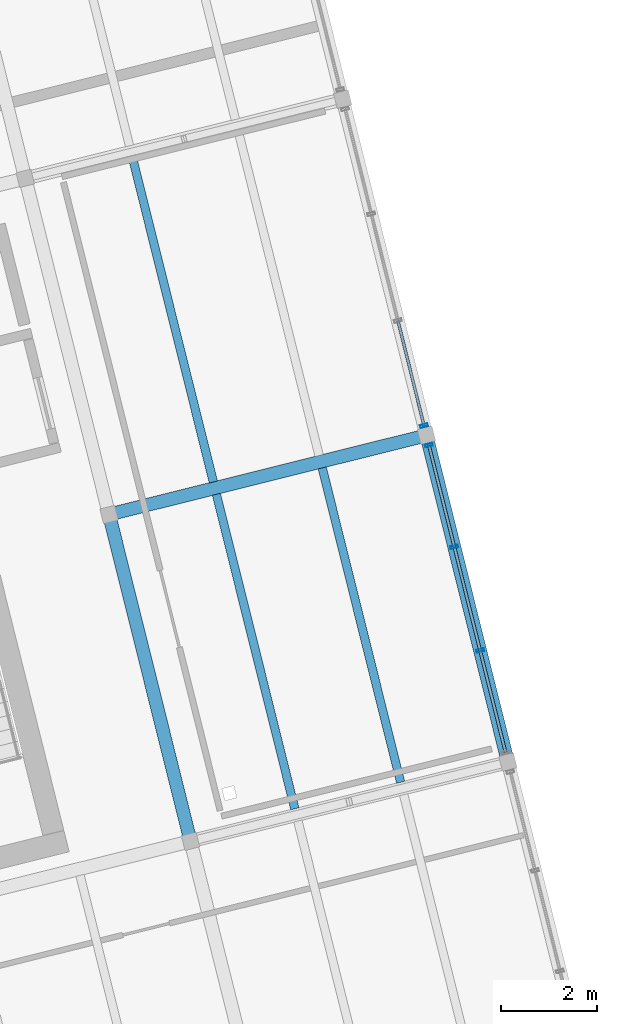
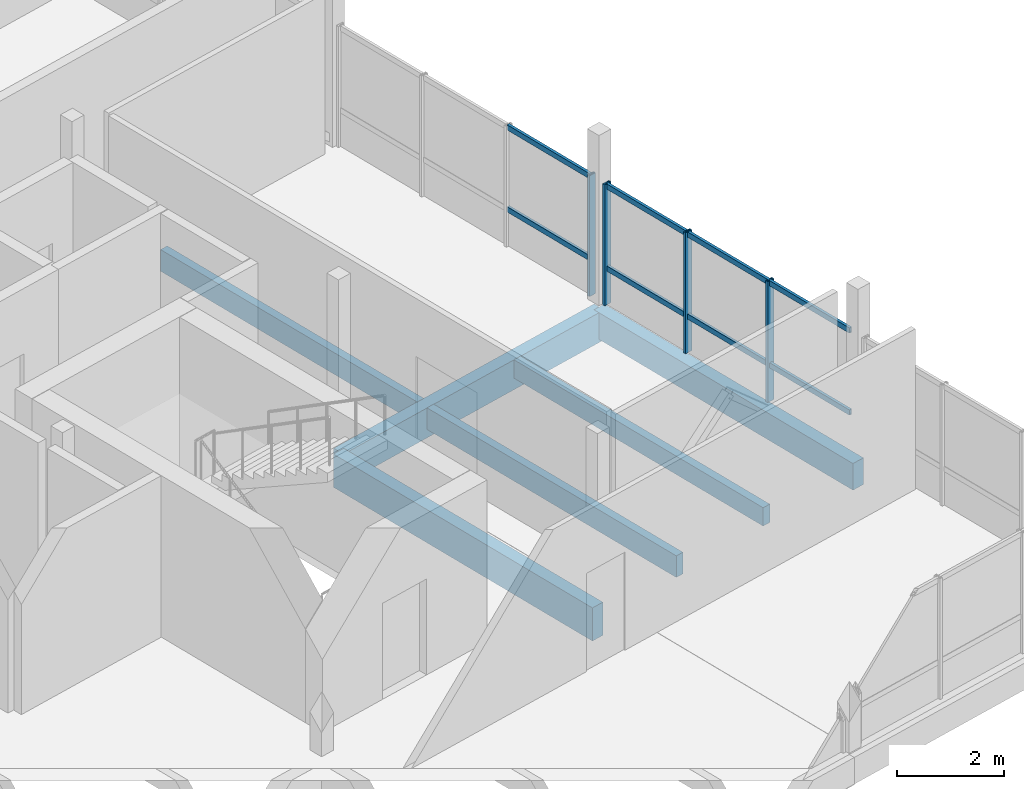
# One storey, part 17 of 25: 12 members, 6 beams, 2 elements without a shape of their own.
"""IFC4 building model written with IfcOpenShell, lengths in metres."""

from ifc_helpers import new_model, si_unit, direction, frame, origin, origin_2d, place, context, subcontext, project, spatial, rectangle, hollow_rectangle, extrude, material, layer, layer_set, material_profile, profile_set, type_object, element, aggregate, save


model = new_model("IFC4")

# Units and contexts
model_context = context("Model", 3, precision=1e-05, world=origin(), true_north=direction((0.0, 1.0)))
body_context = subcontext(model_context, "Body", "Model", "MODEL_VIEW")
ifc_project = project(units=[si_unit("LENGTHUNIT", "METRE"), si_unit("AREAUNIT", "SQUARE_METRE"), si_unit("VOLUMEUNIT", "CUBIC_METRE"), si_unit("PLANEANGLEUNIT", "RADIAN"), si_unit("MASSUNIT", "GRAM", prefix="KILO")], contexts=[model_context])

# Site, building, storey
site_placement = place(None, origin())
site = spatial("IfcSite", under=ifc_project, at=site_placement, CompositionType="ELEMENT")
building_placement = place(site_placement, origin())
building = spatial("IfcBuilding", under=site, at=building_placement, Name="Meriwether Solvik Hall", CompositionType="ELEMENT")
storey_placement = place(building_placement, frame((0.0, 0.0, 53.39990234375)))
storey = spatial("IfcBuildingStorey", under=building, at=storey_placement, Name="L13", CompositionType="ELEMENT", Elevation=53.39990234375)

# Beams
ifc_material_1 = material(Name="Glulam Douglas-Fir 24F-V8 GL28h", Category="wood")
ifc_material_profile_1 = material_profile(ifc_material_1, rectangle(XDim=0.27294921875, YDim=0.610107421875, at=origin_2d()), Name="GLB-273X610")
ifc_profile_set_1 = profile_set([ifc_material_profile_1], Name="Glulam Douglas-Fir 24F-V8 GL28h")
beam_type_1 = type_object("IfcBeamType", Name="BM-GL-273X610", PredefinedType="SPANDREL", material=ifc_profile_set_1)
beam_1_placement = place(storey_placement, frame((101.885498046875, 56.507080078125, -0.48486328125), z_axis=(-0.241903692719, 0.970300264582, 0.0), x_axis=(-0.970300264582, -0.241903692719, 0.0)))
element("IfcBeam", 1, at=beam_1_placement, inside=storey, type_object=beam_type_1, Name="Tower Girder T6:TB-TC (L13)", PredefinedType="SPANDREL", context=body_context, shape_type="SweptSolid", body=[
    extrude(rectangle(XDim=0.27294921875, YDim=0.610107421875, at=origin_2d()), origin(), (0.0, 0.0, 1.0), 7.000244140625),
])
ifc_material_2 = material(Name="Glulam Douglas-Fir 24F-V8 GL28h", Category="wood")
ifc_material_profile_2 = material_profile(ifc_material_2, rectangle(XDim=0.27294921875, YDim=0.68505859375, at=origin_2d()), Name="GLB-273X685")
ifc_profile_set_2 = profile_set([ifc_material_profile_2], Name="Glulam Douglas-Fir 24F-V8 GL28h")
beam_type_2 = type_object("IfcBeamType", Name="BM-GL-273X685", PredefinedType="BEAM", material=ifc_profile_set_2)
beam_2_placement = place(storey_placement, frame((93.593994140625, 61.654296875, -0.5224609375), z_axis=(0.970298579828, 0.24191045034, 0.0), x_axis=(-0.24191045034, 0.970298579828, 0.0)))
element("IfcBeam", 2, at=beam_2_placement, inside=storey, type_object=beam_type_2, Name="Tower Girder TC:T5-T6 (L13)", PredefinedType="BEAM", context=body_context, shape_type="SweptSolid", body=[
    extrude(rectangle(XDim=0.27294921875, YDim=0.68505859375, at=origin_2d()), origin(), (0.0, 0.0, 1.0), 6.800048828125),
])
ifc_material_3 = material(Name="Glulam Douglas-Fir 24F-V8 GL28h", Category="wood")
ifc_material_profile_3 = material_profile(ifc_material_3, rectangle(XDim=0.27294921875, YDim=0.760009765625, at=origin_2d()), Name="GLB-273X760")
ifc_profile_set_3 = profile_set([ifc_material_profile_3], Name="Glulam Douglas-Fir 24F-V8 GL28h")
beam_type_3 = type_object("IfcBeamType", Name="BM-GL-273X760", PredefinedType="BEAM", material=ifc_profile_set_3)
beam_3_placement = place(storey_placement, frame((95.28759765625, 54.862060546875, -0.559814453125), z_axis=(-0.241936527961, 0.970292077901, 0.0), x_axis=(-0.970292077901, -0.241936527961, 0.0)))
element("IfcBeam", 3, at=beam_3_placement, inside=storey, type_object=beam_type_3, Name="Tower Girder T5:TB-TC (L13)", PredefinedType="BEAM", context=body_context, shape_type="SweptSolid", body=[
    extrude(rectangle(XDim=0.27294921875, YDim=0.760009765625, at=origin_2d()), origin(), (0.0, 0.0, 1.0), 7.000244140625),
])

# Curtain wall, members
ifc_material_4 = material(Name="Thermally Broken Anodised Aluminium 6063-T6 and Low-E Glass", Category="aluminium")
ifc_layer_1 = layer(ifc_material_4, 0.179931640625)
ifc_layer_set_1 = layer_set([ifc_layer_1], Name="Thermally Broken Anodised Aluminium 6063-T6 and Low-E Glass")
curtain_wall_type_1 = type_object("IfcCurtainWallType", Name="CW-UNIT-F", PredefinedType="USERDEFINED", material=ifc_layer_set_1)
curtain_wall_1_placement = place(storey_placement, origin())
curtain_wall_1 = element("IfcCurtainWall", 4, at=curtain_wall_1_placement, inside=storey, type_object=curtain_wall_type_1, Name="Curtain Wall E1_B1 (L13)", ObjectType="UNITISED CURTAIN WALL", PredefinedType="USERDEFINED")
ifc_material_5 = material(Name="Anodised Aluminium 6063-T6", Category="aluminium")
ifc_material_profile_4 = material_profile(ifc_material_5, hollow_rectangle(XDim=0.06005859375, YDim=0.159912109375, WallThickness=0.00390625, at=origin_2d()), Name="CWM-60X160")
ifc_profile_set_4 = profile_set([ifc_material_profile_4], Name="Anodised Aluminium 6063-T6")
member_type_1 = type_object("IfcMemberType", Name="CW-MUL-60X160", PredefinedType="MULLION", material=ifc_profile_set_4)
member_1_placement = place(storey_placement, frame((100.242431640625, 63.097900390625, 0.0), z_axis=(0.0, 0.0, 1.0), x_axis=(0.241921784185, -0.970295754055, 0.0)))
member_1 = element("IfcMember", 5, at=member_1_placement, type_object=member_type_1, Name="Curtain Wall Mullion 1", PredefinedType="MULLION", context=body_context, shape_type="SweptSolid", body=[
    extrude(hollow_rectangle(XDim=0.06005859375, YDim=0.159912109375, WallThickness=0.00390625, at=origin_2d()), origin(), (0.0, 0.0, 1.0), 2.77001953125),
])
member_2_placement = place(storey_placement, frame((100.770263671875, 60.98046875, 0.0), z_axis=(0.0, 0.0, 1.0), x_axis=(0.241921784185, -0.970295754055, 0.0)))
member_2 = element("IfcMember", 6, at=member_2_placement, type_object=member_type_1, Name="Curtain Wall Mullion 2", PredefinedType="MULLION", context=body_context, shape_type="SweptSolid", body=[
    extrude(hollow_rectangle(XDim=0.06005859375, YDim=0.159912109375, WallThickness=0.00390625, at=origin_2d()), origin(), (0.0, 0.0, 1.0), 2.77001953125),
])
member_3_placement = place(storey_placement, frame((101.307373046875, 58.825927734375, 0.0), z_axis=(0.0, 0.0, 1.0), x_axis=(0.241921784185, -0.970295754055, 0.0)))
member_3 = element("IfcMember", 7, at=member_3_placement, type_object=member_type_1, Name="Curtain Wall Mullion 3", PredefinedType="MULLION", context=body_context, shape_type="SweptSolid", body=[
    extrude(hollow_rectangle(XDim=0.06005859375, YDim=0.159912109375, WallThickness=0.00390625, at=origin_2d()), origin(), (0.0, 0.0, 1.0), 2.77001953125),
])

# Curtain wall, member
ifc_material_6 = material(Name="Thermally Broken Anodised Aluminium 6063-T6 and Low-E Glass", Category="aluminium")
ifc_layer_2 = layer(ifc_material_6, 0.179931640625)
ifc_layer_set_2 = layer_set([ifc_layer_2], Name="Thermally Broken Anodised Aluminium 6063-T6 and Low-E Glass")
curtain_wall_type_2 = type_object("IfcCurtainWallType", Name="CW-UNIT-G", PredefinedType="USERDEFINED", material=ifc_layer_set_2)
curtain_wall_2_placement = place(storey_placement, origin())
curtain_wall_2 = element("IfcCurtainWall", 8, at=curtain_wall_2_placement, inside=storey, type_object=curtain_wall_type_2, Name="Curtain Wall E1_B2 (L13)", ObjectType="UNITISED CURTAIN WALL", PredefinedType="USERDEFINED")
member_4_placement = place(storey_placement, frame((100.141845703125, 63.50048828125, 0.0), z_axis=(0.0, 0.0, 1.0), x_axis=(0.241921877598, -0.970295730764, 0.0)))
member_4 = element("IfcMember", 9, at=member_4_placement, type_object=member_type_1, Name="Curtain Wall Mullion 4", PredefinedType="MULLION", context=body_context, shape_type="SweptSolid", body=[
    extrude(hollow_rectangle(XDim=0.06005859375, YDim=0.159912109375, WallThickness=0.00390625, at=origin_2d()), origin(), (0.0, 0.0, 1.0), 2.77001953125),
])

# Member
ifc_material_7 = material(Name="Anodised Aluminium 6063-T6", Category="aluminium")
ifc_material_profile_5 = material_profile(ifc_material_7, hollow_rectangle(XDim=0.06005859375, YDim=0.1201171875, WallThickness=0.00390625, at=origin_2d()), Name="CWT-60X120")
ifc_profile_set_5 = profile_set([ifc_material_profile_5], Name="Anodised Aluminium 6063-T6")
member_type_2 = type_object("IfcMemberType", Name="CW-TRN-60X120", PredefinedType="USERDEFINED", material=ifc_profile_set_5)
member_5_placement = place(storey_placement, frame((100.242431640625, 63.097900390625, 0.8310546875), z_axis=(0.241877470874, -0.970306801524, 0.0), x_axis=(0.970306801524, 0.241877470874, 0.0)))
member_5 = element("IfcMember", 10, at=member_5_placement, type_object=member_type_2, Name="Curtain Wall Transom 1-sill", ObjectType="TRANSOM", PredefinedType="USERDEFINED", context=body_context, shape_type="SweptSolid", body=[
    extrude(hollow_rectangle(XDim=0.06005859375, YDim=0.1201171875, WallThickness=0.00390625, at=origin_2d()), origin(), (0.0, 0.0, 1.0), 2.18212890625),
])

member_6_placement = place(storey_placement, frame((100.242431640625, 63.097900390625, 2.710205078125), z_axis=(0.241877470874, -0.970306801524, 0.0), x_axis=(0.970306801524, 0.241877470874, 0.0)))
member_6 = element("IfcMember", 11, at=member_6_placement, type_object=member_type_2, Name="Curtain Wall Transom 1-head", ObjectType="TRANSOM", PredefinedType="USERDEFINED", context=body_context, shape_type="SweptSolid", body=[
    extrude(hollow_rectangle(XDim=0.06005859375, YDim=0.1201171875, WallThickness=0.00390625, at=origin_2d()), origin(), (0.0, 0.0, 1.0), 2.18212890625),
])

member_7_placement = place(storey_placement, frame((100.770263671875, 60.98046875, 0.8310546875), z_axis=(0.241888809617, -0.970303974939, 0.0), x_axis=(0.970303974939, 0.241888809617, 0.0)))
member_7 = element("IfcMember", 12, at=member_7_placement, type_object=member_type_2, Name="Curtain Wall Transom 2-sill", ObjectType="TRANSOM", PredefinedType="USERDEFINED", context=body_context, shape_type="SweptSolid", body=[
    extrude(hollow_rectangle(XDim=0.06005859375, YDim=0.1201171875, WallThickness=0.00390625, at=origin_2d()), origin(), (0.0, 0.0, 1.0), 2.220458984375),
])

member_8_placement = place(storey_placement, frame((100.770263671875, 60.98046875, 2.710205078125), z_axis=(0.241888809617, -0.970303974939, 0.0), x_axis=(0.970303974939, 0.241888809617, 0.0)))
member_8 = element("IfcMember", 13, at=member_8_placement, type_object=member_type_2, Name="Curtain Wall Transom 2-head", ObjectType="TRANSOM", PredefinedType="USERDEFINED", context=body_context, shape_type="SweptSolid", body=[
    extrude(hollow_rectangle(XDim=0.06005859375, YDim=0.1201171875, WallThickness=0.00390625, at=origin_2d()), origin(), (0.0, 0.0, 1.0), 2.220458984375),
])

member_9_placement = place(storey_placement, frame((101.307373046875, 58.825927734375, 0.8310546875), z_axis=(0.241982798004, -0.970280539571, 0.0), x_axis=(0.970280539571, 0.241982798004, 0.0)))
member_9 = element("IfcMember", 14, at=member_9_placement, type_object=member_type_2, Name="Curtain Wall Transom 3-sill", ObjectType="TRANSOM", PredefinedType="USERDEFINED", context=body_context, shape_type="SweptSolid", body=[
    extrude(hollow_rectangle(XDim=0.06005859375, YDim=0.1201171875, WallThickness=0.00390625, at=origin_2d()), origin(), (0.0, 0.0, 1.0), 2.182373046875),
])

member_10_placement = place(storey_placement, frame((101.307373046875, 58.825927734375, 2.710205078125), z_axis=(0.241982798004, -0.970280539571, 0.0), x_axis=(0.970280539571, 0.241982798004, 0.0)))
member_10 = element("IfcMember", 15, at=member_10_placement, type_object=member_type_2, Name="Curtain Wall Transom 3-head", ObjectType="TRANSOM", PredefinedType="USERDEFINED", context=body_context, shape_type="SweptSolid", body=[
    extrude(hollow_rectangle(XDim=0.06005859375, YDim=0.1201171875, WallThickness=0.00390625, at=origin_2d()), origin(), (0.0, 0.0, 1.0), 2.182373046875),
])

aggregate(curtain_wall_1, [member_1, member_2, member_3, member_5, member_6, member_7, member_8, member_9, member_10])

member_11_placement = place(storey_placement, frame((99.597900390625, 65.682861328125, 0.8310546875), z_axis=(0.241845961802, -0.970314655542, 0.0), x_axis=(0.970314655542, 0.241845961802, 0.0)))
member_11 = element("IfcMember", 16, at=member_11_placement, type_object=member_type_2, Name="Curtain Wall Transom 3-sill", ObjectType="TRANSOM", PredefinedType="USERDEFINED", context=body_context, shape_type="SweptSolid", body=[
    extrude(hollow_rectangle(XDim=0.06005859375, YDim=0.1201171875, WallThickness=0.00390625, at=origin_2d()), origin(), (0.0, 0.0, 1.0), 2.2490234375),
])

member_12_placement = place(storey_placement, frame((99.597900390625, 65.682861328125, 2.710205078125), z_axis=(0.241845961802, -0.970314655542, 0.0), x_axis=(0.970314655542, 0.241845961802, 0.0)))
member_12 = element("IfcMember", 17, at=member_12_placement, type_object=member_type_2, Name="Curtain Wall Transom 3-head", ObjectType="TRANSOM", PredefinedType="USERDEFINED", context=body_context, shape_type="SweptSolid", body=[
    extrude(hollow_rectangle(XDim=0.06005859375, YDim=0.1201171875, WallThickness=0.00390625, at=origin_2d()), origin(), (0.0, 0.0, 1.0), 2.2490234375),
])

aggregate(curtain_wall_2, [member_4, member_11, member_12])

# Beams
ifc_material_8 = material(Name="Glulam Douglas-Fir 24F-V8 GL28h", Category="wood")
ifc_material_profile_6 = material_profile(ifc_material_8, rectangle(XDim=0.175048828125, YDim=0.419921875, at=origin_2d()), Name="GLJ-175X420")
ifc_profile_set_6 = profile_set([ifc_material_profile_6], Name="Glulam Douglas-Fir 24F-V8 GL28h")
beam_type_4 = type_object("IfcBeamType", Name="JST-GL-175X420", PredefinedType="JOIST", material=ifc_profile_set_6)
beam_4_placement = place(storey_placement, frame((99.654296875, 56.08642578125, -0.389892578125), z_axis=(-0.241896058636, 0.970302167789, 0.0), x_axis=(-0.970302167789, -0.241896058636, 0.0)))
element("IfcBeam", 18, at=beam_4_placement, inside=storey, type_object=beam_type_4, Name="Glulam Floor Joist T5/TB-J2 (L13)", PredefinedType="JOIST", context=body_context, shape_type="SweptSolid", body=[
    extrude(rectangle(XDim=0.175048828125, YDim=0.419921875, at=origin_2d()), origin(), (0.0, 0.0, 1.0), 6.73681640625),
])
ifc_material_9 = material(Name="Glulam Douglas-Fir 24F-V8 GL28h", Category="wood")
ifc_material_profile_7 = material_profile(ifc_material_9, rectangle(XDim=0.175048828125, YDim=0.4951171875, at=origin_2d()), Name="GLJ-175X495")
ifc_profile_set_7 = profile_set([ifc_material_profile_7], Name="Glulam Douglas-Fir 24F-V8 GL28h")
beam_type_5 = type_object("IfcBeamType", Name="JST-GL-175X495", PredefinedType="JOIST", material=ifc_profile_set_7)
beam_5_placement = place(storey_placement, frame((97.455078125, 55.5380859375, -0.427490234375), z_axis=(-0.241930176813, 0.9702936615, 0.0), x_axis=(-0.9702936615, -0.241930176813, 0.0)))
element("IfcBeam", 19, at=beam_5_placement, inside=storey, type_object=beam_type_5, Name="Glulam Floor Joist T5/TB-J1 (L13)", PredefinedType="JOIST", context=body_context, shape_type="SweptSolid", body=[
    extrude(rectangle(XDim=0.175048828125, YDim=0.4951171875, at=origin_2d()), origin(), (0.0, 0.0, 1.0), 6.737060546875),
])
beam_6_placement = place(storey_placement, frame((95.76171875, 62.330078125, -0.427490234375), z_axis=(-0.241922788949, 0.970295503539, 0.0), x_axis=(-0.970295503539, -0.241922788949, 0.0)))
element("IfcBeam", 20, at=beam_6_placement, inside=storey, type_object=beam_type_5, Name="Glulam Floor Joist T5/TC-J1 (L13)", PredefinedType="JOIST", context=body_context, shape_type="SweptSolid", body=[
    extrude(rectangle(XDim=0.175048828125, YDim=0.4951171875, at=origin_2d()), origin(), (0.0, 0.0, 1.0), 6.93701171875),
])

save(model, "model.ifc")
